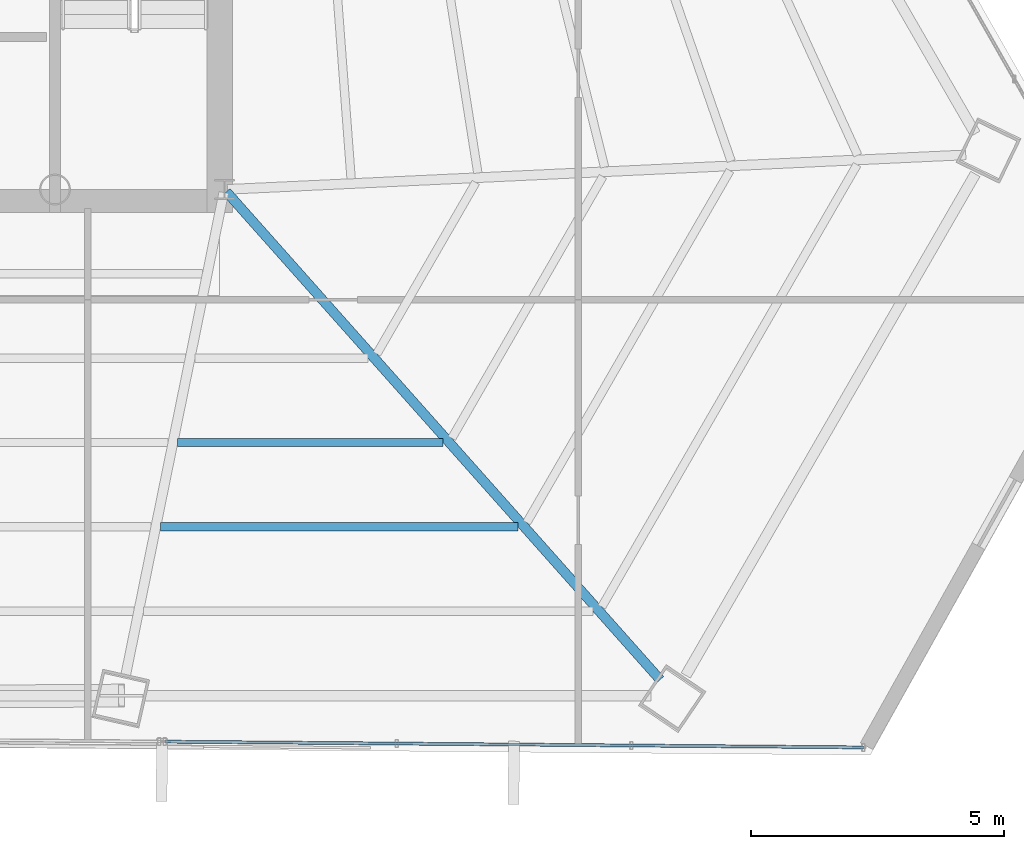
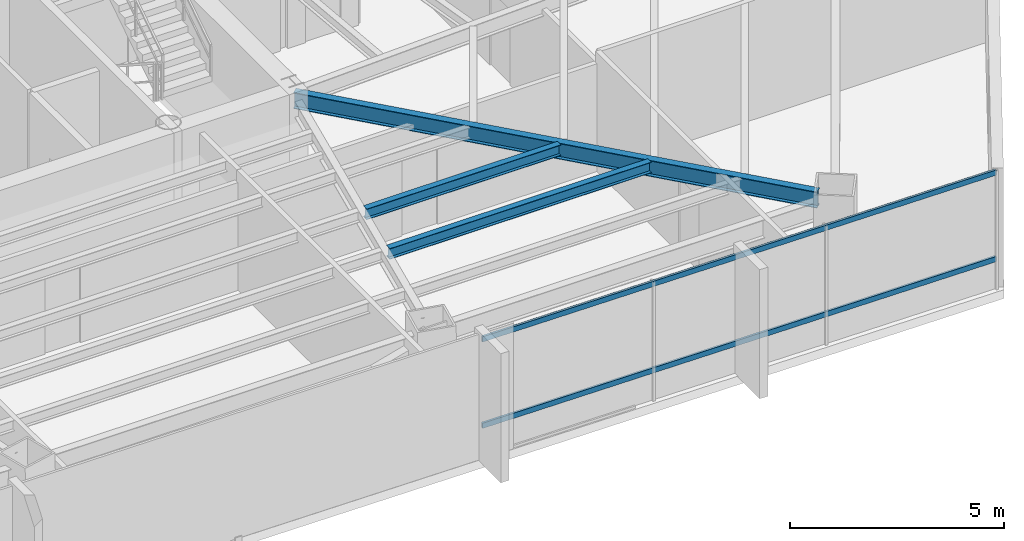
# One storey, part 18 of 38: 3 beams, 2 members, 1 element without a shape of its own.
"""IFC4 building model written with IfcOpenShell, lengths in metres."""

from ifc_helpers import new_model, si_unit, direction, frame, origin, origin_2d, place, context, subcontext, project, spatial, hollow_rectangle, i_section, extrude, source, transform, mapped, material, material_profile, profile_set, type_object, type_shapes, element, aggregate, save


model = new_model("IFC4")

# Units and contexts
model_context = context("Model", 3, precision=1e-05, world=origin(), true_north=direction((0.0, 1.0)))
body_context = subcontext(model_context, "Body", "Model", "MODEL_VIEW")
ifc_project = project(units=[si_unit("LENGTHUNIT", "METRE"), si_unit("AREAUNIT", "SQUARE_METRE"), si_unit("VOLUMEUNIT", "CUBIC_METRE"), si_unit("PLANEANGLEUNIT", "RADIAN"), si_unit("MASSUNIT", "GRAM", prefix="KILO")], contexts=[model_context])

# Site, building, storey
site_placement = place(None, origin())
site = spatial("IfcSite", under=ifc_project, at=site_placement, CompositionType="ELEMENT")
building_placement = place(site_placement, origin())
building = spatial("IfcBuilding", under=site, at=building_placement, Name="Caelisora Broadcast Tower", CompositionType="ELEMENT")
storey_placement = place(building_placement, frame((0.0, 0.0, 154.85009765625)))
storey = spatial("IfcBuildingStorey", under=building, at=storey_placement, Name="L40", CompositionType="ELEMENT", Elevation=154.85009765625)

# Beams
ifc_material_1 = material(Name="Steel Grade 350 (AS/NZS 3679.1)", Category="steel")
ifc_material_profile_1 = material_profile(ifc_material_1, i_section(OverallWidth=0.19091796875, OverallDepth=0.46044921875, WebThickness=0.010009765625, FlangeThickness=0.01611328125, at=origin_2d()), Name="Steel Grade 350 (AS/NZS 3679.1)")
ifc_profile_set_1 = profile_set([ifc_material_profile_1], Name="Steel Grade 350 (AS/NZS 3679.1)")
beam_type_1 = type_object("IfcBeamType", Name="PG06", PredefinedType="BEAM", material=ifc_profile_set_1)
shared_shape_1 = source(origin(), body_context, "Body", "SweptSolid", [
    extrude(i_section(OverallWidth=0.19091796875, OverallDepth=0.46044921875, WebThickness=0.010009765625, FlangeThickness=0.01611328125, at=origin_2d()), origin(), (0.0, 0.0, 1.0), 12.9091796875),
])
type_shapes(beam_type_1, [shared_shape_1])
beam_1_placement = place(storey_placement, frame((45.539794921875, 17.355224609375, 3.169677734375), z_axis=(0.664365012687, -0.747408275254, 0.0), x_axis=(0.747408275254, 0.664365012687, 0.0)))
element("IfcBeam", 1, at=beam_1_placement, inside=storey, type_object=beam_type_1, Name="L40 beam PG06", PredefinedType="BEAM", context=body_context, shape_type="MappedRepresentation", body=[
    mapped(shared_shape_1, transform((0.0, 0.0, 0.0), scale=1.0)),
])
ifc_material_profile_2 = material_profile(ifc_material_1, i_section(OverallWidth=0.166015625, OverallDepth=0.30712890625, WebThickness=0.006591796875, FlangeThickness=0.01171875, at=origin_2d()), Name="Steel Grade 350 (AS/NZS 3679.1)")
ifc_profile_set_2 = profile_set([ifc_material_profile_2], Name="Steel Grade 350 (AS/NZS 3679.1)")
beam_type_2 = type_object("IfcBeamType", Name="SB03", PredefinedType="JOIST", material=ifc_profile_set_2)
shared_shape_2 = source(origin(), body_context, "Body", "SweptSolid", [
    extrude(i_section(OverallWidth=0.166015625, OverallDepth=0.30712890625, WebThickness=0.006591796875, FlangeThickness=0.01171875, at=origin_2d()), origin(), (0.0, 0.0, 1.0), 5.245849609375),
])
beam_2_placement = place(storey_placement, frame((44.576904296875, 12.396484375, 3.246337890625), z_axis=(1.0, 0.0, 0.0), x_axis=(0.0, 1.0, 0.0)))
element("IfcBeam", 2, at=beam_2_placement, inside=storey, type_object=beam_type_2, Name="L40 beam SB03", PredefinedType="JOIST", context=body_context, shape_type="MappedRepresentation", body=[
    mapped(shared_shape_2, transform((0.0, 0.0, 0.0), scale=1.0)),
])
shared_shape_3 = source(origin(), body_context, "Body", "SweptSolid", [
    extrude(i_section(OverallWidth=0.166015625, OverallDepth=0.30712890625, WebThickness=0.006591796875, FlangeThickness=0.01171875, at=origin_2d()), origin(), (0.0, 0.0, 1.0), 7.067626953125),
])
type_shapes(beam_type_2, [shared_shape_2, shared_shape_3])
beam_3_placement = place(storey_placement, frame((44.23779296875, 10.728515625, 3.246337890625), z_axis=(1.0, 0.0, 0.0), x_axis=(0.0, 1.0, 0.0)))
element("IfcBeam", 3, at=beam_3_placement, inside=storey, type_object=beam_type_2, Name="L40 beam SB03", PredefinedType="JOIST", context=body_context, shape_type="MappedRepresentation", body=[
    mapped(shared_shape_3, transform((0.0, 0.0, 0.0), scale=1.0)),
])

# Curtain wall, members
ifc_material_2 = material(Name="Unitised Aluminium and Low-E Glass Curtain Wall", Category="glass")
curtain_wall_type = type_object("IfcCurtainWallType", Name="CW-Z3", PredefinedType="NOTDEFINED", material=ifc_material_2)
curtain_wall_placement = place(storey_placement, origin())
curtain_wall = element("IfcCurtainWall", 4, at=curtain_wall_placement, inside=storey, type_object=curtain_wall_type, Name="L40 curtain wall CW-Z3", PredefinedType="NOTDEFINED")
ifc_material_3 = material(Name="Aluminium 6063-T6 Anodised Terracotta Bronze", Category="aluminium")
ifc_material_profile_3 = material_profile(ifc_material_3, hollow_rectangle(XDim=0.06005859375, YDim=0.14990234375, WallThickness=0.00341796875, at=origin_2d()), Name="Aluminium 6063-T6 Anodised Terracotta Bronze")
ifc_profile_set_3 = profile_set([ifc_material_profile_3], Name="Aluminium 6063-T6 Anodised Terracotta Bronze")
member_type = type_object("IfcMemberType", Name="CWT-02", PredefinedType="USERDEFINED", material=ifc_profile_set_3)
shared_shape_4 = source(origin(), body_context, "Body", "SweptSolid", [
    extrude(hollow_rectangle(XDim=0.06005859375, YDim=0.14990234375, WallThickness=0.00341796875, at=origin_2d()), origin(), (0.0, 0.0, 1.0), 13.815673828125),
])
type_shapes(member_type, [shared_shape_4])
member_1_placement = place(storey_placement, frame((58.136962890625, 6.367431640625, 0.849853515625), z_axis=(-0.999965801576, 0.008270167974, 0.0), x_axis=(-0.008270167974, -0.999965801576, 0.0)))
member_1 = element("IfcMember", 5, at=member_1_placement, type_object=member_type, Name="L40-CW-B05 transom #1", ObjectType="TRANSOM", PredefinedType="USERDEFINED", context=body_context, shape_type="MappedRepresentation", body=[
    mapped(shared_shape_4, transform((0.0, 0.0, 0.0), scale=1.0)),
])
member_2_placement = place(storey_placement, frame((58.136962890625, 6.367431640625, 3.31982421875), z_axis=(-0.999965801576, 0.008270167974, 0.0), x_axis=(-0.008270167974, -0.999965801576, 0.0)))
member_2 = element("IfcMember", 6, at=member_2_placement, type_object=member_type, Name="L40-CW-B05 transom #2", ObjectType="TRANSOM", PredefinedType="USERDEFINED", context=body_context, shape_type="MappedRepresentation", body=[
    mapped(shared_shape_4, transform((0.0, 0.0, 0.0), scale=1.0)),
])
aggregate(curtain_wall, [member_1, member_2])

save(model, "model.ifc")
